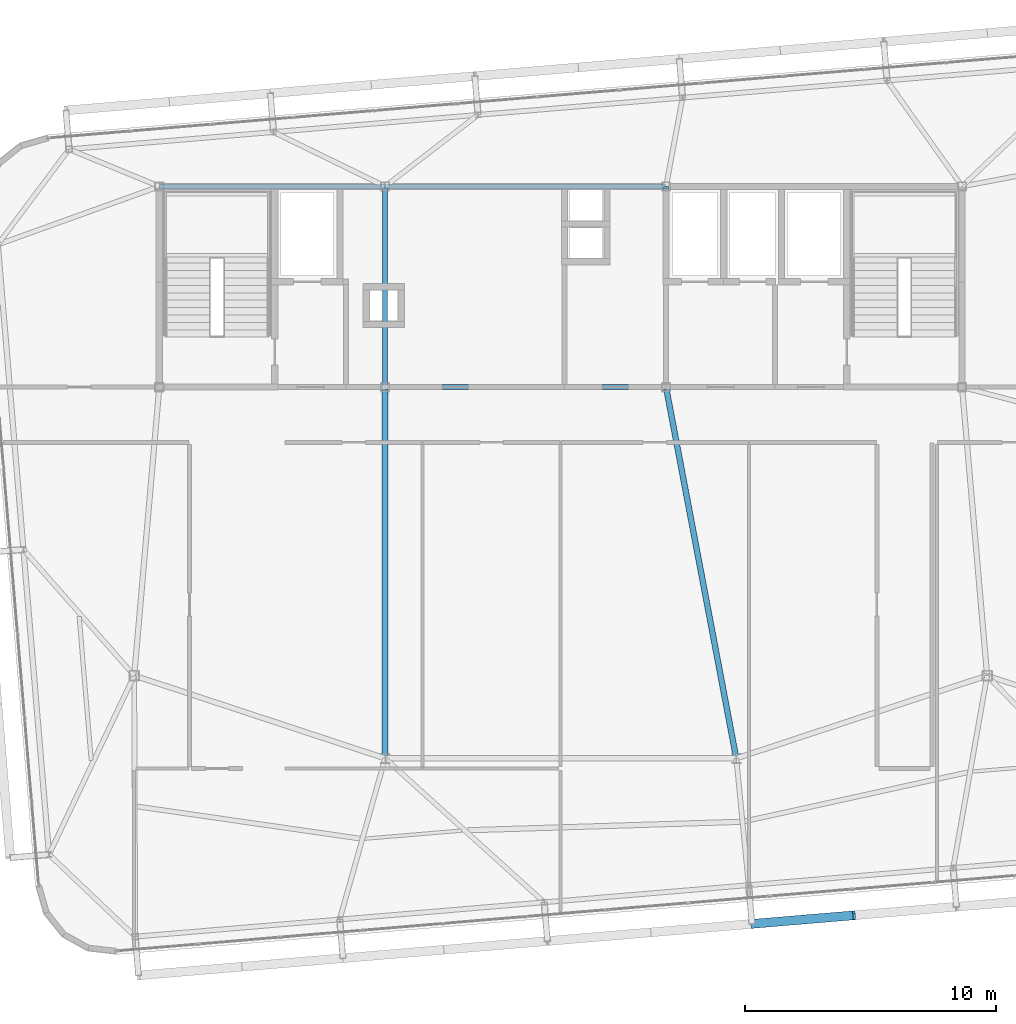
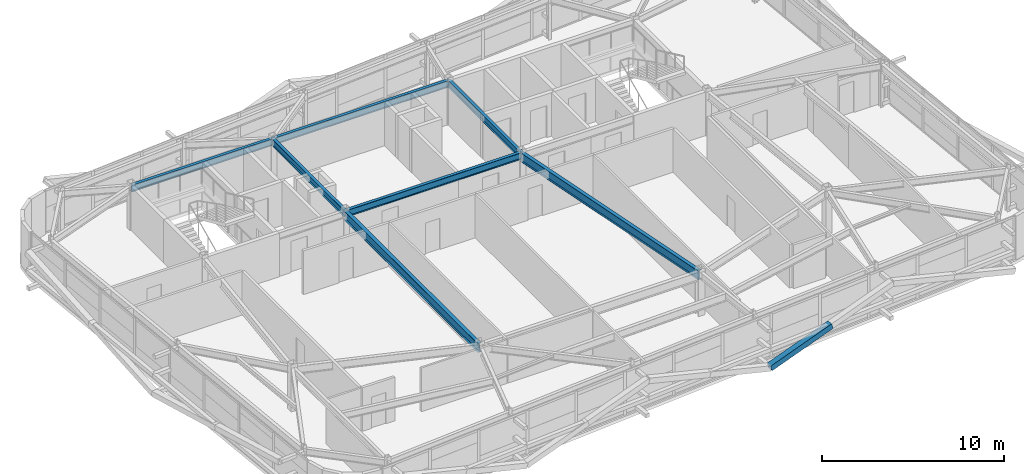
# One storey, part 18 of 46: 7 beams, 1 member.
"""IFC4 building model written with IfcOpenShell, lengths in metres."""

from ifc_helpers import new_model, si_unit, direction, frame, origin, origin_2d, place, context, subcontext, project, spatial, hollow_rectangle, i_section, extrude, source, transform, mapped, material, material_profile, profile_set, type_object, element, save


model = new_model("IFC4")

# Units and contexts
model_context = context("Model", 3, precision=1e-05, world=origin(), true_north=direction((0.0, 1.0)))
body_context = subcontext(model_context, "Body", "Model", "MODEL_VIEW")
ifc_project = project(units=[si_unit("LENGTHUNIT", "METRE"), si_unit("AREAUNIT", "SQUARE_METRE"), si_unit("VOLUMEUNIT", "CUBIC_METRE"), si_unit("PLANEANGLEUNIT", "RADIAN"), si_unit("MASSUNIT", "GRAM", prefix="KILO")], contexts=[model_context])

# Site, building, storey
site_placement = place(None, origin())
site = spatial("IfcSite", under=ifc_project, at=site_placement, CompositionType="ELEMENT")
building_placement = place(site_placement, origin())
building = spatial("IfcBuilding", under=site, at=building_placement, Name="Taldren Reach Tower", CompositionType="ELEMENT")
storey_placement = place(building_placement, frame((0.0, 0.0, 188.300048828125)))
storey = spatial("IfcBuildingStorey", under=building, at=storey_placement, Name="L57", CompositionType="ELEMENT", Elevation=188.300048828125)

# Beams
ifc_material_1 = material(Name="Steel Gr 350 (350PLUS)", Category="steel")
ifc_material_profile_1 = material_profile(ifc_material_1, i_section(OverallWidth=0.19091796875, OverallDepth=0.4599609375, WebThickness=0.010009765625, FlangeThickness=0.01611328125, at=origin_2d()), Name="460UB82.1")
ifc_profile_set_1 = profile_set([ifc_material_profile_1], Name="Steel Gr 350 (350PLUS)")
beam_type_1 = type_object("IfcBeamType", Name="BM-UB460A", PredefinedType="BEAM", material=ifc_profile_set_1)
shared_shape_1 = source(origin(), body_context, "Body", "SweptSolid", [
    extrude(i_section(OverallWidth=0.19091796875, OverallDepth=0.4599609375, WebThickness=0.010009765625, FlangeThickness=0.01611328125, at=origin_2d()), origin(), (0.0, 0.0, 1.0), 9.0),
])
beam_1_placement = place(storey_placement, frame((19.0, 32.0, 2.699951171875), z_axis=(1.0, 0.0, 0.0), x_axis=(0.0, 1.0, 0.0)))
element("IfcBeam", 1, at=beam_1_placement, inside=storey, type_object=beam_type_1, Name="Core-spine girder L57-SP04", PredefinedType="BEAM", context=body_context, shape_type="MappedRepresentation", body=[
    mapped(shared_shape_1, transform((0.0, 0.0, 0.0), scale=1.0)),
])
shared_shape_2 = source(origin(), body_context, "Body", "SweptSolid", [
    extrude(i_section(OverallWidth=0.19091796875, OverallDepth=0.4599609375, WebThickness=0.010009765625, FlangeThickness=0.01611328125, at=origin_2d()), origin(), (0.0, 0.0, 1.0), 11.199951171875),
])
for number, where, z_axis, x_axis, name in (
    (2, (28.0, 24.0, 2.699951171875), (1.0, 0.0, 0.0), (0.0, 1.0, 0.0), "Core-spine girder L57-SP02"),
    (3, (28.0, 32.0, 2.699951171875), (1.0, 0.0, 0.0), (0.0, 1.0, 0.0), "Core-spine girder L57-SP05"),
):
    element("IfcBeam", number, at=place(storey_placement, frame(where, z_axis=z_axis, x_axis=x_axis)), inside=storey, type_object=beam_type_1, Name=name, PredefinedType="BEAM", context=body_context, shape_type="MappedRepresentation", body=[
        mapped(shared_shape_2, transform((0.0, 0.0, 0.0), scale=1.0)),
    ])
shared_shape_3 = source(origin(), body_context, "Body", "SweptSolid", [
    extrude(i_section(OverallWidth=0.19091796875, OverallDepth=0.4599609375, WebThickness=0.010009765625, FlangeThickness=0.01611328125, at=origin_2d()), origin(), (0.0, 0.0, 1.0), 8.0),
])
for number, where, z_axis, x_axis, name in (
    (4, (28.0, 24.0, 2.699951171875), (0.0, 1.0, 0.0), (-1.0, 0.0, 0.0), "Core-spine girder L57-SP07"),
    (5, (39.199951171875, 24.0, 2.699951171875), (0.0, 1.0, 0.0), (-1.0, 0.0, 0.0), "Core-spine girder L57-SP08"),
):
    element("IfcBeam", number, at=place(storey_placement, frame(where, z_axis=z_axis, x_axis=x_axis)), inside=storey, type_object=beam_type_1, Name=name, PredefinedType="BEAM", context=body_context, shape_type="MappedRepresentation", body=[
        mapped(shared_shape_3, transform((0.0, 0.0, 0.0), scale=1.0)),
    ])
ifc_material_profile_2 = material_profile(ifc_material_1, i_section(OverallWidth=0.22802734375, OverallDepth=0.60205078125, WebThickness=0.010498046875, FlangeThickness=0.014892578125, at=origin_2d()), Name="610UB101")
ifc_profile_set_2 = profile_set([ifc_material_profile_2], Name="Steel Gr 350 (350PLUS)")
beam_type_2 = type_object("IfcBeamType", Name="BM-UB610B", PredefinedType="BEAM", material=ifc_profile_set_2)
shared_shape_4 = source(origin(), body_context, "Body", "SweptSolid", [
    extrude(i_section(OverallWidth=0.22802734375, OverallDepth=0.60205078125, WebThickness=0.010498046875, FlangeThickness=0.014892578125, at=origin_2d()), origin(), (0.0, 0.0, 1.0), 14.800048828125),
])
beam_2_placement = place(storey_placement, frame((28.0, 24.0, 2.62890625), z_axis=(0.0, -1.0, 0.0), x_axis=(1.0, 0.0, 0.0)))
element("IfcBeam", 6, at=beam_2_placement, inside=storey, type_object=beam_type_2, Name="Core-spine girder L57-SP14", PredefinedType="BEAM", context=body_context, shape_type="MappedRepresentation", body=[
    mapped(shared_shape_4, transform((0.0, 0.0, 0.0), scale=1.0)),
])
shared_shape_5 = source(origin(), body_context, "Body", "SweptSolid", [
    extrude(i_section(OverallWidth=0.22802734375, OverallDepth=0.60205078125, WebThickness=0.010498046875, FlangeThickness=0.014892578125, at=origin_2d()), origin(), (0.0, 0.0, 1.0), 15.0625),
])
beam_3_placement = place(storey_placement, frame((39.199951171875, 24.0, 2.62890625), z_axis=(0.185894205668, -0.982569765614, 0.0), x_axis=(0.982569765614, 0.185894205668, 0.0)))
element("IfcBeam", 7, at=beam_3_placement, inside=storey, type_object=beam_type_2, Name="Core-spine girder L57-SP15", PredefinedType="BEAM", context=body_context, shape_type="MappedRepresentation", body=[
    mapped(shared_shape_5, transform((0.0, 0.0, 0.0), scale=1.0)),
])

# Member
ifc_material_2 = material(Name="Steel Gr 450 (C450L0)", Category="steel")
ifc_material_profile_3 = material_profile(ifc_material_2, hollow_rectangle(XDim=0.360107421875, YDim=0.360107421875, WallThickness=0.0126953125, at=origin_2d()), Name="360x360x12.7SHS")
ifc_profile_set_3 = profile_set([ifc_material_profile_3], Name="Steel Gr 450 (C450L0)")
member_type = type_object("IfcMemberType", Name="MB-EXO356", PredefinedType="BRACE", material=ifc_profile_set_3)
shared_shape_6 = source(origin(), body_context, "Body", "SweptSolid", [
    extrude(hollow_rectangle(XDim=0.360107421875, YDim=0.360107421875, WallThickness=0.0126953125, at=origin_2d()), origin(), (0.0, 0.0, 1.0), 4.2666015625),
])
member_placement = place(storey_placement, frame((42.623291015625, 2.60302734375, 0.219970703125), z_axis=(0.955233542365, 0.080165460216, 0.28478479336), x_axis=(-0.083628388178, 0.996497010879, 0.0)))
element("IfcMember", 8, at=member_placement, inside=storey, type_object=member_type, Name="Exoskeleton Diagrid Brace B4-S4 L57", PredefinedType="BRACE", context=body_context, shape_type="MappedRepresentation", body=[
    mapped(shared_shape_6, transform((0.0, 0.0, 0.0), scale=1.0)),
])

save(model, "model.ifc")
